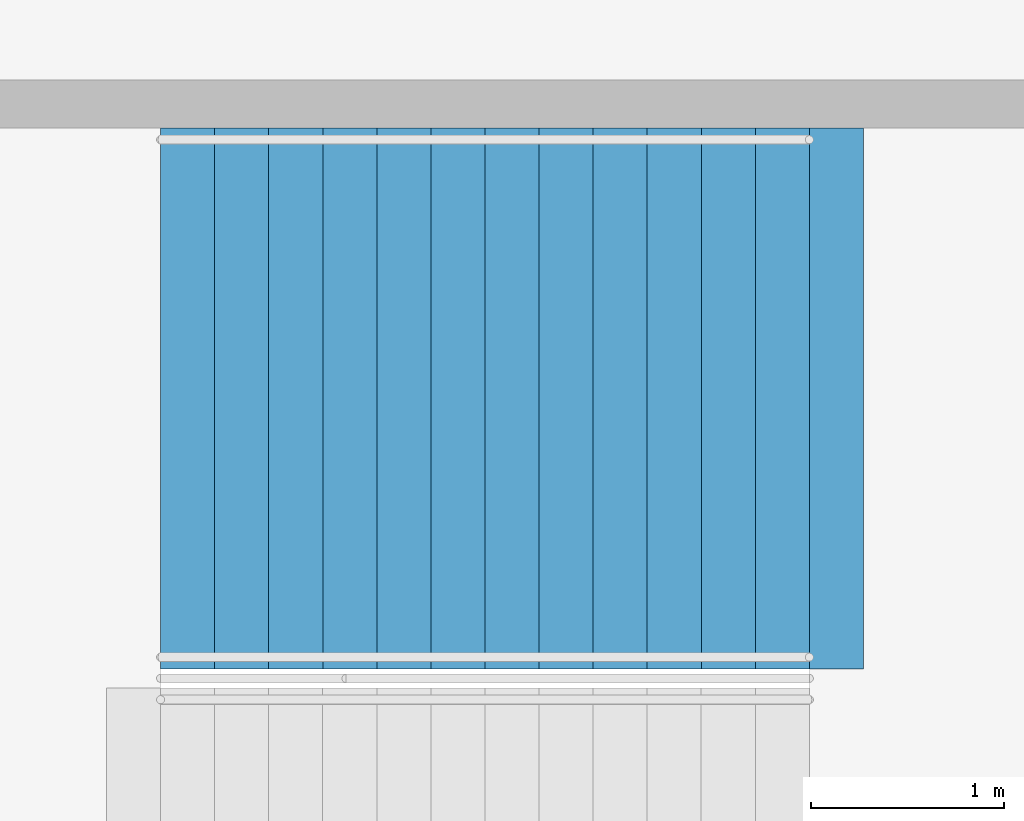
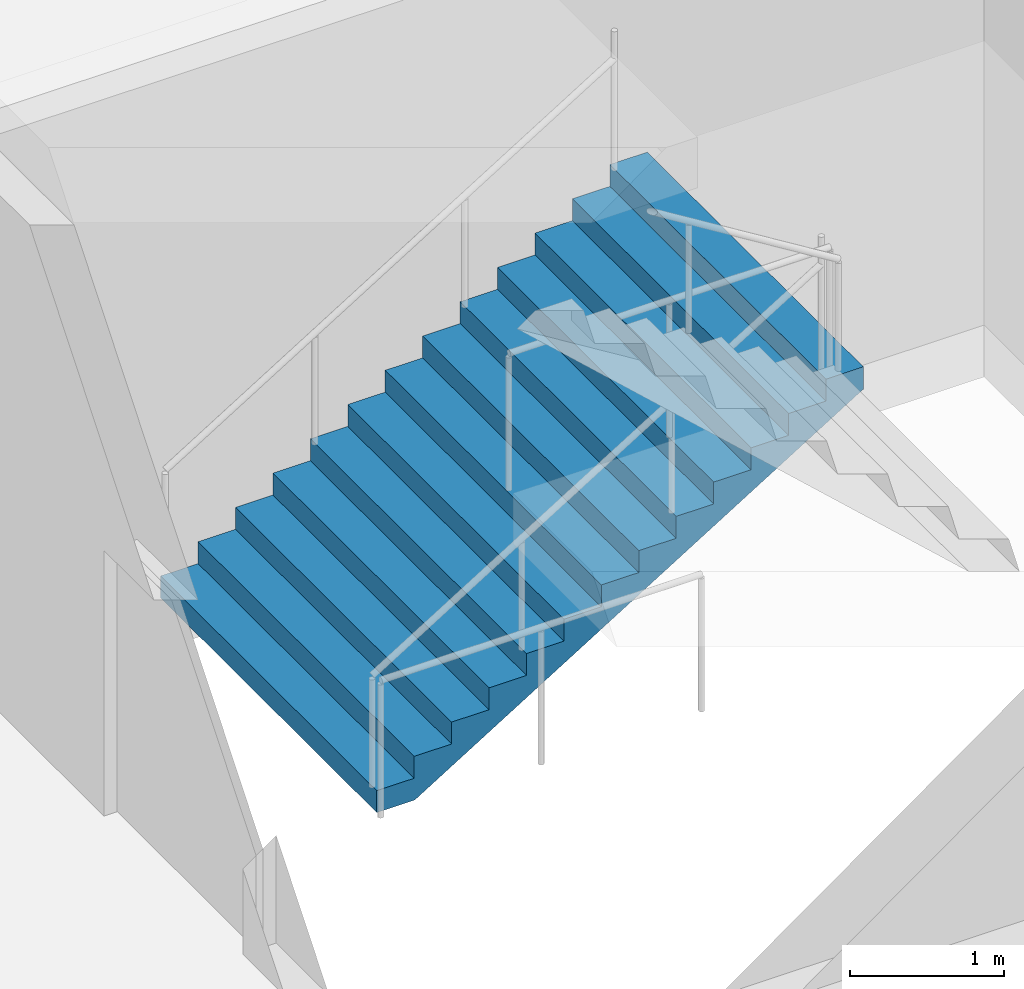
# One storey, part 183 of 249: 1 stair flight, 1 element without a shape of its own.
"""IFC4 building model written with IfcOpenShell, lengths in metres."""

from ifc_helpers import new_model, si_unit, direction, frame, origin, place, context, subcontext, project, spatial, faceted_brep, material, type_object, element, aggregate, save


model = new_model("IFC4")

# Units and contexts
model_context = context("Model", 3, precision=1e-05, world=origin(), true_north=direction((0.0, 1.0)))
body_context = subcontext(model_context, "Body", "Model", "MODEL_VIEW")
ifc_project = project(units=[si_unit("LENGTHUNIT", "METRE"), si_unit("AREAUNIT", "SQUARE_METRE"), si_unit("VOLUMEUNIT", "CUBIC_METRE"), si_unit("PLANEANGLEUNIT", "RADIAN"), si_unit("MASSUNIT", "GRAM", prefix="KILO")], contexts=[model_context])

# Site, building, storey
site_placement = place(None, origin())
site = spatial("IfcSite", under=ifc_project, at=site_placement, CompositionType="ELEMENT")
building_placement = place(site_placement, origin())
building = spatial("IfcBuilding", under=site, at=building_placement, Name="Ogive Plaza Stadium", CompositionType="ELEMENT")
storey_placement = place(building_placement, frame((0.0, 0.0, 13.5)))
storey = spatial("IfcBuildingStorey", under=building, at=storey_placement, Name="L03", CompositionType="ELEMENT", Elevation=13.5)

# Stair, stair flight
ifc_material_1 = material(Name="Concrete C40/50", Category="concrete")
stair_type = type_object("IfcStairType", Name="Exit stair", PredefinedType="STRAIGHT_RUN_STAIR", material=ifc_material_1)
stair_placement = place(storey_placement, origin())
stair = element("IfcStair", 1, at=stair_placement, inside=storey, type_object=stair_type, Name="Exit stair ST06B L03 to L04", PredefinedType="STRAIGHT_RUN_STAIR")
ifc_material_2 = material(Name="Concrete C40/50", Category="concrete")
stair_flight_type = type_object("IfcStairFlightType", Name="Exit stair flight", PredefinedType="STRAIGHT", material=ifc_material_2)
stair_flight_placement = place(storey_placement, frame((76.35009765625, -18.074951171875, 0.0), z_axis=(0.0, 0.0, 1.0), x_axis=(1.0, 0.0, 0.0)))
stair_flight = element("IfcStairFlight", 2, at=stair_flight_placement, type_object=stair_flight_type, Name="ST06B flight 1", NumberOfRisers=13, NumberOfTreads=12, PredefinedType="STRAIGHT", RiserHeight=0.173076923, TreadLength=0.28, context=body_context, shape_type="Brep", body=[
    faceted_brep([(0.28515625, -1.39990234375, 0.0), (3.639892578125, -1.39990234375, 2.07373046875), (3.639892578125, -1.39990234375, 2.25), (3.360107421875, -1.39990234375, 2.25), (3.360107421875, -1.39990234375, 2.076904296875), (3.080078125, -1.39990234375, 2.076904296875), (3.080078125, -1.39990234375, 1.90380859375), (2.800048828125, -1.39990234375, 1.90380859375), (2.800048828125, -1.39990234375, 1.730712890625), (2.52001953125, -1.39990234375, 1.730712890625), (2.52001953125, -1.39990234375, 1.5576171875), (2.239990234375, -1.39990234375, 1.5576171875), (2.239990234375, -1.39990234375, 1.384521484375), (1.9599609375, -1.39990234375, 1.384521484375), (1.9599609375, -1.39990234375, 1.21142578125), (1.679931640625, -1.39990234375, 1.21142578125), (1.679931640625, -1.39990234375, 1.03857421875), (1.39990234375, -1.39990234375, 1.03857421875), (1.39990234375, -1.39990234375, 0.865478515625), (1.1201171875, -1.39990234375, 0.865478515625), (1.1201171875, -1.39990234375, 0.6923828125), (0.840087890625, -1.39990234375, 0.6923828125), (0.840087890625, -1.39990234375, 0.519287109375), (0.56005859375, -1.39990234375, 0.519287109375), (0.56005859375, -1.39990234375, 0.34619140625), (0.280029296875, -1.39990234375, 0.34619140625), (0.280029296875, -1.39990234375, 0.173095703125), (0.0, -1.39990234375, 0.173095703125), (0.0, -1.39990234375, 0.0), (0.0, 1.39990234375, 0.0), (0.0, 1.39990234375, 0.173095703125), (0.280029296875, 1.39990234375, 0.173095703125), (0.280029296875, 1.39990234375, 0.34619140625), (0.56005859375, 1.39990234375, 0.34619140625), (0.56005859375, 1.39990234375, 0.519287109375), (0.840087890625, 1.39990234375, 0.519287109375), (0.840087890625, 1.39990234375, 0.6923828125), (1.1201171875, 1.39990234375, 0.6923828125), (1.1201171875, 1.39990234375, 0.865478515625), (1.39990234375, 1.39990234375, 0.865478515625), (1.39990234375, 1.39990234375, 1.03857421875), (1.679931640625, 1.39990234375, 1.03857421875), (1.679931640625, 1.39990234375, 1.21142578125), (1.9599609375, 1.39990234375, 1.21142578125), (1.9599609375, 1.39990234375, 1.384521484375), (2.239990234375, 1.39990234375, 1.384521484375), (2.239990234375, 1.39990234375, 1.5576171875), (2.52001953125, 1.39990234375, 1.5576171875), (2.52001953125, 1.39990234375, 1.730712890625), (2.800048828125, 1.39990234375, 1.730712890625), (2.800048828125, 1.39990234375, 1.90380859375), (3.080078125, 1.39990234375, 1.90380859375), (3.080078125, 1.39990234375, 2.076904296875), (3.360107421875, 1.39990234375, 2.076904296875), (3.360107421875, 1.39990234375, 2.25), (3.639892578125, 1.39990234375, 2.25), (3.639892578125, 1.39990234375, 2.07373046875), (0.28515625, 1.39990234375, 0.0), (0.28515625, -1.0888671875, 0.0), (3.639892578125, -1.0888671875, 2.07373046875), (0.28515625, -0.77783203125, 0.0), (3.639892578125, -0.77783203125, 2.07373046875), (0.28515625, -0.466796875, 0.0), (3.639892578125, -0.466796875, 2.07373046875), (0.28515625, -0.155517578125, 0.0), (3.639892578125, -0.155517578125, 2.07373046875), (0.28515625, 0.155517578125, 0.0), (3.639892578125, 0.155517578125, 2.07373046875), (0.28515625, 0.466796875, 0.0), (3.639892578125, 0.466796875, 2.07373046875), (0.28515625, 0.77783203125, 0.0), (3.639892578125, 0.77783203125, 2.07373046875), (0.28515625, 1.0888671875, 0.0), (3.639892578125, 1.0888671875, 2.07373046875), (3.639892578125, -1.0888671875, 2.25), (3.639892578125, -0.77783203125, 2.25), (3.639892578125, -0.466796875, 2.25), (3.639892578125, -0.155517578125, 2.25), (3.639892578125, 0.155517578125, 2.25), (3.639892578125, 0.466796875, 2.25), (3.639892578125, 0.77783203125, 2.25), (3.639892578125, 1.0888671875, 2.25), (3.360107421875, -1.0888671875, 2.25), (3.360107421875, -0.77783203125, 2.25), (3.360107421875, -0.466796875, 2.25), (3.360107421875, -0.155517578125, 2.25), (3.360107421875, 0.155517578125, 2.25), (3.360107421875, 0.466796875, 2.25), (3.360107421875, 0.77783203125, 2.25), (3.360107421875, 1.0888671875, 2.25), (3.360107421875, -1.0888671875, 2.076904296875), (3.360107421875, -0.77783203125, 2.076904296875), (3.360107421875, -0.466796875, 2.076904296875), (3.360107421875, -0.155517578125, 2.076904296875), (3.360107421875, 0.155517578125, 2.076904296875), (3.360107421875, 0.466796875, 2.076904296875), (3.360107421875, 0.77783203125, 2.076904296875), (3.360107421875, 1.0888671875, 2.076904296875), (3.080078125, -1.0888671875, 2.076904296875), (3.080078125, -0.77783203125, 2.076904296875), (3.080078125, -0.466796875, 2.076904296875), (3.080078125, -0.155517578125, 2.076904296875), (3.080078125, 0.155517578125, 2.076904296875), (3.080078125, 0.466796875, 2.076904296875), (3.080078125, 0.77783203125, 2.076904296875), (3.080078125, 1.0888671875, 2.076904296875), (3.080078125, -1.0888671875, 1.90380859375), (3.080078125, -0.77783203125, 1.90380859375), (3.080078125, -0.466796875, 1.90380859375), (3.080078125, -0.155517578125, 1.90380859375), (3.080078125, 0.155517578125, 1.90380859375), (3.080078125, 0.466796875, 1.90380859375), (3.080078125, 0.77783203125, 1.90380859375), (3.080078125, 1.0888671875, 1.90380859375), (2.800048828125, -1.0888671875, 1.90380859375), (2.800048828125, -0.77783203125, 1.90380859375), (2.800048828125, -0.466796875, 1.90380859375), (2.800048828125, -0.155517578125, 1.90380859375), (2.800048828125, 0.155517578125, 1.90380859375), (2.800048828125, 0.466796875, 1.90380859375), (2.800048828125, 0.77783203125, 1.90380859375), (2.800048828125, 1.0888671875, 1.90380859375), (2.800048828125, -1.0888671875, 1.730712890625), (2.800048828125, -0.77783203125, 1.730712890625), (2.800048828125, -0.466796875, 1.730712890625), (2.800048828125, -0.155517578125, 1.730712890625), (2.800048828125, 0.155517578125, 1.730712890625), (2.800048828125, 0.466796875, 1.730712890625), (2.800048828125, 0.77783203125, 1.730712890625), (2.800048828125, 1.0888671875, 1.730712890625), (2.52001953125, -1.0888671875, 1.730712890625), (2.52001953125, -0.77783203125, 1.730712890625), (2.52001953125, -0.466796875, 1.730712890625), (2.52001953125, -0.155517578125, 1.730712890625), (2.52001953125, 0.155517578125, 1.730712890625), (2.52001953125, 0.466796875, 1.730712890625), (2.52001953125, 0.77783203125, 1.730712890625), (2.52001953125, 1.0888671875, 1.730712890625), (2.52001953125, -1.0888671875, 1.5576171875), (2.52001953125, -0.77783203125, 1.5576171875), (2.52001953125, -0.466796875, 1.5576171875), (2.52001953125, -0.155517578125, 1.5576171875), (2.52001953125, 0.155517578125, 1.5576171875), (2.52001953125, 0.466796875, 1.5576171875), (2.52001953125, 0.77783203125, 1.5576171875), (2.52001953125, 1.0888671875, 1.5576171875), (2.239990234375, -1.0888671875, 1.5576171875), (2.239990234375, -0.77783203125, 1.5576171875), (2.239990234375, -0.466796875, 1.5576171875), (2.239990234375, -0.155517578125, 1.5576171875), (2.239990234375, 0.155517578125, 1.5576171875), (2.239990234375, 0.466796875, 1.5576171875), (2.239990234375, 0.77783203125, 1.5576171875), (2.239990234375, 1.0888671875, 1.5576171875), (2.239990234375, -1.0888671875, 1.384521484375), (2.239990234375, -0.77783203125, 1.384521484375), (2.239990234375, -0.466796875, 1.384521484375), (2.239990234375, -0.155517578125, 1.384521484375), (2.239990234375, 0.155517578125, 1.384521484375), (2.239990234375, 0.466796875, 1.384521484375), (2.239990234375, 0.77783203125, 1.384521484375), (2.239990234375, 1.0888671875, 1.384521484375), (1.9599609375, -1.0888671875, 1.384521484375), (1.9599609375, -0.77783203125, 1.384521484375), (1.9599609375, -0.466796875, 1.384521484375), (1.9599609375, -0.155517578125, 1.384521484375), (1.9599609375, 0.155517578125, 1.384521484375), (1.9599609375, 0.466796875, 1.384521484375), (1.9599609375, 0.77783203125, 1.384521484375), (1.9599609375, 1.0888671875, 1.384521484375), (1.9599609375, -1.0888671875, 1.21142578125), (1.9599609375, -0.77783203125, 1.21142578125), (1.9599609375, -0.466796875, 1.21142578125), (1.9599609375, -0.155517578125, 1.21142578125), (1.9599609375, 0.155517578125, 1.21142578125), (1.9599609375, 0.466796875, 1.21142578125), (1.9599609375, 0.77783203125, 1.21142578125), (1.9599609375, 1.0888671875, 1.21142578125), (1.679931640625, -1.0888671875, 1.21142578125), (1.679931640625, -0.77783203125, 1.21142578125), (1.679931640625, -0.466796875, 1.21142578125), (1.679931640625, -0.155517578125, 1.21142578125), (1.679931640625, 0.155517578125, 1.21142578125), (1.679931640625, 0.466796875, 1.21142578125), (1.679931640625, 0.77783203125, 1.21142578125), (1.679931640625, 1.0888671875, 1.21142578125), (1.679931640625, -1.0888671875, 1.03857421875), (1.679931640625, -0.77783203125, 1.03857421875), (1.679931640625, -0.466796875, 1.03857421875), (1.679931640625, -0.155517578125, 1.03857421875), (1.679931640625, 0.155517578125, 1.03857421875), (1.679931640625, 0.466796875, 1.03857421875), (1.679931640625, 0.77783203125, 1.03857421875), (1.679931640625, 1.0888671875, 1.03857421875), (1.39990234375, -1.0888671875, 1.03857421875), (1.39990234375, -0.77783203125, 1.03857421875), (1.39990234375, -0.466796875, 1.03857421875), (1.39990234375, -0.155517578125, 1.03857421875), (1.39990234375, 0.155517578125, 1.03857421875), (1.39990234375, 0.466796875, 1.03857421875), (1.39990234375, 0.77783203125, 1.03857421875), (1.39990234375, 1.0888671875, 1.03857421875), (1.39990234375, -1.0888671875, 0.865478515625), (1.39990234375, -0.77783203125, 0.865478515625), (1.39990234375, -0.466796875, 0.865478515625), (1.39990234375, -0.155517578125, 0.865478515625), (1.39990234375, 0.155517578125, 0.865478515625), (1.39990234375, 0.466796875, 0.865478515625), (1.39990234375, 0.77783203125, 0.865478515625), (1.39990234375, 1.0888671875, 0.865478515625), (1.1201171875, -1.0888671875, 0.865478515625), (1.1201171875, -0.77783203125, 0.865478515625), (1.1201171875, -0.466796875, 0.865478515625), (1.1201171875, -0.155517578125, 0.865478515625), (1.1201171875, 0.155517578125, 0.865478515625), (1.1201171875, 0.466796875, 0.865478515625), (1.1201171875, 0.77783203125, 0.865478515625), (1.1201171875, 1.0888671875, 0.865478515625), (1.1201171875, -1.0888671875, 0.6923828125), (1.1201171875, -0.77783203125, 0.6923828125), (1.1201171875, -0.466796875, 0.6923828125), (1.1201171875, -0.155517578125, 0.6923828125), (1.1201171875, 0.155517578125, 0.6923828125), (1.1201171875, 0.466796875, 0.6923828125), (1.1201171875, 0.77783203125, 0.6923828125), (1.1201171875, 1.0888671875, 0.6923828125), (0.840087890625, -1.0888671875, 0.6923828125), (0.840087890625, -0.77783203125, 0.6923828125), (0.840087890625, -0.466796875, 0.6923828125), (0.840087890625, -0.155517578125, 0.6923828125), (0.840087890625, 0.155517578125, 0.6923828125), (0.840087890625, 0.466796875, 0.6923828125), (0.840087890625, 0.77783203125, 0.6923828125), (0.840087890625, 1.0888671875, 0.6923828125), (0.840087890625, -1.0888671875, 0.519287109375), (0.840087890625, -0.77783203125, 0.519287109375), (0.840087890625, -0.466796875, 0.519287109375), (0.840087890625, -0.155517578125, 0.519287109375), (0.840087890625, 0.155517578125, 0.519287109375), (0.840087890625, 0.466796875, 0.519287109375), (0.840087890625, 0.77783203125, 0.519287109375), (0.840087890625, 1.0888671875, 0.519287109375), (0.56005859375, -1.0888671875, 0.519287109375), (0.56005859375, -0.77783203125, 0.519287109375), (0.56005859375, -0.466796875, 0.519287109375), (0.56005859375, -0.155517578125, 0.519287109375), (0.56005859375, 0.155517578125, 0.519287109375), (0.56005859375, 0.466796875, 0.519287109375), (0.56005859375, 0.77783203125, 0.519287109375), (0.56005859375, 1.0888671875, 0.519287109375), (0.56005859375, -1.0888671875, 0.34619140625), (0.56005859375, -0.77783203125, 0.34619140625), (0.56005859375, -0.466796875, 0.34619140625), (0.56005859375, -0.155517578125, 0.34619140625), (0.56005859375, 0.155517578125, 0.34619140625), (0.56005859375, 0.466796875, 0.34619140625), (0.56005859375, 0.77783203125, 0.34619140625), (0.56005859375, 1.0888671875, 0.34619140625), (0.280029296875, -1.0888671875, 0.34619140625), (0.280029296875, -0.77783203125, 0.34619140625), (0.280029296875, -0.466796875, 0.34619140625), (0.280029296875, -0.155517578125, 0.34619140625), (0.280029296875, 0.155517578125, 0.34619140625), (0.280029296875, 0.466796875, 0.34619140625), (0.280029296875, 0.77783203125, 0.34619140625), (0.280029296875, 1.0888671875, 0.34619140625), (0.280029296875, -1.0888671875, 0.173095703125), (0.280029296875, -0.77783203125, 0.173095703125), (0.280029296875, -0.466796875, 0.173095703125), (0.280029296875, -0.155517578125, 0.173095703125), (0.280029296875, 0.155517578125, 0.173095703125), (0.280029296875, 0.466796875, 0.173095703125), (0.280029296875, 0.77783203125, 0.173095703125), (0.280029296875, 1.0888671875, 0.173095703125), (0.0, -1.0888671875, 0.173095703125), (0.0, -0.77783203125, 0.173095703125), (0.0, -0.466796875, 0.173095703125), (0.0, -0.155517578125, 0.173095703125), (0.0, 0.155517578125, 0.173095703125), (0.0, 0.466796875, 0.173095703125), (0.0, 0.77783203125, 0.173095703125), (0.0, 1.0888671875, 0.173095703125), (0.0, -1.0888671875, 0.0), (0.0, -0.77783203125, 0.0), (0.0, -0.466796875, 0.0), (0.0, -0.155517578125, 0.0), (0.0, 0.155517578125, 0.0), (0.0, 0.466796875, 0.0), (0.0, 0.77783203125, 0.0), (0.0, 1.0888671875, 0.0)], [[[0, 1, 2, 3, 4, 5, 6, 7, 8, 9, 10, 11, 12, 13, 14, 15, 16, 17, 18, 19, 20, 21, 22, 23, 24, 25, 26, 27, 28]], [[29, 30, 31, 32, 33, 34, 35, 36, 37, 38, 39, 40, 41, 42, 43, 44, 45, 46, 47, 48, 49, 50, 51, 52, 53, 54, 55, 56, 57]], [[0, 58, 59, 1]], [[58, 60, 61, 59]], [[60, 62, 63, 61]], [[62, 64, 65, 63]], [[64, 66, 67, 65]], [[66, 68, 69, 67]], [[68, 70, 71, 69]], [[70, 72, 73, 71]], [[72, 57, 56, 73]], [[1, 59, 74, 2]], [[59, 61, 75, 74]], [[61, 63, 76, 75]], [[63, 65, 77, 76]], [[65, 67, 78, 77]], [[67, 69, 79, 78]], [[69, 71, 80, 79]], [[71, 73, 81, 80]], [[73, 56, 55, 81]], [[2, 74, 82, 3]], [[74, 75, 83, 82]], [[75, 76, 84, 83]], [[76, 77, 85, 84]], [[77, 78, 86, 85]], [[78, 79, 87, 86]], [[79, 80, 88, 87]], [[80, 81, 89, 88]], [[81, 55, 54, 89]], [[3, 82, 90, 4]], [[82, 83, 91, 90]], [[83, 84, 92, 91]], [[84, 85, 93, 92]], [[85, 86, 94, 93]], [[86, 87, 95, 94]], [[87, 88, 96, 95]], [[88, 89, 97, 96]], [[89, 54, 53, 97]], [[4, 90, 98, 5]], [[90, 91, 99, 98]], [[91, 92, 100, 99]], [[92, 93, 101, 100]], [[93, 94, 102, 101]], [[94, 95, 103, 102]], [[95, 96, 104, 103]], [[96, 97, 105, 104]], [[97, 53, 52, 105]], [[5, 98, 106, 6]], [[98, 99, 107, 106]], [[99, 100, 108, 107]], [[100, 101, 109, 108]], [[101, 102, 110, 109]], [[102, 103, 111, 110]], [[103, 104, 112, 111]], [[104, 105, 113, 112]], [[105, 52, 51, 113]], [[6, 106, 114, 7]], [[106, 107, 115, 114]], [[107, 108, 116, 115]], [[108, 109, 117, 116]], [[109, 110, 118, 117]], [[110, 111, 119, 118]], [[111, 112, 120, 119]], [[112, 113, 121, 120]], [[113, 51, 50, 121]], [[7, 114, 122, 8]], [[114, 115, 123, 122]], [[115, 116, 124, 123]], [[116, 117, 125, 124]], [[117, 118, 126, 125]], [[118, 119, 127, 126]], [[119, 120, 128, 127]], [[120, 121, 129, 128]], [[121, 50, 49, 129]], [[8, 122, 130, 9]], [[122, 123, 131, 130]], [[123, 124, 132, 131]], [[124, 125, 133, 132]], [[125, 126, 134, 133]], [[126, 127, 135, 134]], [[127, 128, 136, 135]], [[128, 129, 137, 136]], [[129, 49, 48, 137]], [[9, 130, 138, 10]], [[130, 131, 139, 138]], [[131, 132, 140, 139]], [[132, 133, 141, 140]], [[133, 134, 142, 141]], [[134, 135, 143, 142]], [[135, 136, 144, 143]], [[136, 137, 145, 144]], [[137, 48, 47, 145]], [[10, 138, 146, 11]], [[138, 139, 147, 146]], [[139, 140, 148, 147]], [[140, 141, 149, 148]], [[141, 142, 150, 149]], [[142, 143, 151, 150]], [[143, 144, 152, 151]], [[144, 145, 153, 152]], [[145, 47, 46, 153]], [[11, 146, 154, 12]], [[146, 147, 155, 154]], [[147, 148, 156, 155]], [[148, 149, 157, 156]], [[149, 150, 158, 157]], [[150, 151, 159, 158]], [[151, 152, 160, 159]], [[152, 153, 161, 160]], [[153, 46, 45, 161]], [[12, 154, 162, 13]], [[154, 155, 163, 162]], [[155, 156, 164, 163]], [[156, 157, 165, 164]], [[157, 158, 166, 165]], [[158, 159, 167, 166]], [[159, 160, 168, 167]], [[160, 161, 169, 168]], [[161, 45, 44, 169]], [[13, 162, 170, 14]], [[162, 163, 171, 170]], [[163, 164, 172, 171]], [[164, 165, 173, 172]], [[165, 166, 174, 173]], [[166, 167, 175, 174]], [[167, 168, 176, 175]], [[168, 169, 177, 176]], [[169, 44, 43, 177]], [[14, 170, 178, 15]], [[170, 171, 179, 178]], [[171, 172, 180, 179]], [[172, 173, 181, 180]], [[173, 174, 182, 181]], [[174, 175, 183, 182]], [[175, 176, 184, 183]], [[176, 177, 185, 184]], [[177, 43, 42, 185]], [[15, 178, 186, 16]], [[178, 179, 187, 186]], [[179, 180, 188, 187]], [[180, 181, 189, 188]], [[181, 182, 190, 189]], [[182, 183, 191, 190]], [[183, 184, 192, 191]], [[184, 185, 193, 192]], [[185, 42, 41, 193]], [[16, 186, 194, 17]], [[186, 187, 195, 194]], [[187, 188, 196, 195]], [[188, 189, 197, 196]], [[189, 190, 198, 197]], [[190, 191, 199, 198]], [[191, 192, 200, 199]], [[192, 193, 201, 200]], [[193, 41, 40, 201]], [[17, 194, 202, 18]], [[194, 195, 203, 202]], [[195, 196, 204, 203]], [[196, 197, 205, 204]], [[197, 198, 206, 205]], [[198, 199, 207, 206]], [[199, 200, 208, 207]], [[200, 201, 209, 208]], [[201, 40, 39, 209]], [[18, 202, 210, 19]], [[202, 203, 211, 210]], [[203, 204, 212, 211]], [[204, 205, 213, 212]], [[205, 206, 214, 213]], [[206, 207, 215, 214]], [[207, 208, 216, 215]], [[208, 209, 217, 216]], [[209, 39, 38, 217]], [[19, 210, 218, 20]], [[210, 211, 219, 218]], [[211, 212, 220, 219]], [[212, 213, 221, 220]], [[213, 214, 222, 221]], [[214, 215, 223, 222]], [[215, 216, 224, 223]], [[216, 217, 225, 224]], [[217, 38, 37, 225]], [[20, 218, 226, 21]], [[218, 219, 227, 226]], [[219, 220, 228, 227]], [[220, 221, 229, 228]], [[221, 222, 230, 229]], [[222, 223, 231, 230]], [[223, 224, 232, 231]], [[224, 225, 233, 232]], [[225, 37, 36, 233]], [[21, 226, 234, 22]], [[226, 227, 235, 234]], [[227, 228, 236, 235]], [[228, 229, 237, 236]], [[229, 230, 238, 237]], [[230, 231, 239, 238]], [[231, 232, 240, 239]], [[232, 233, 241, 240]], [[233, 36, 35, 241]], [[22, 234, 242, 23]], [[234, 235, 243, 242]], [[235, 236, 244, 243]], [[236, 237, 245, 244]], [[237, 238, 246, 245]], [[238, 239, 247, 246]], [[239, 240, 248, 247]], [[240, 241, 249, 248]], [[241, 35, 34, 249]], [[23, 242, 250, 24]], [[242, 243, 251, 250]], [[243, 244, 252, 251]], [[244, 245, 253, 252]], [[245, 246, 254, 253]], [[246, 247, 255, 254]], [[247, 248, 256, 255]], [[248, 249, 257, 256]], [[249, 34, 33, 257]], [[24, 250, 258, 25]], [[250, 251, 259, 258]], [[251, 252, 260, 259]], [[252, 253, 261, 260]], [[253, 254, 262, 261]], [[254, 255, 263, 262]], [[255, 256, 264, 263]], [[256, 257, 265, 264]], [[257, 33, 32, 265]], [[25, 258, 266, 26]], [[258, 259, 267, 266]], [[259, 260, 268, 267]], [[260, 261, 269, 268]], [[261, 262, 270, 269]], [[262, 263, 271, 270]], [[263, 264, 272, 271]], [[264, 265, 273, 272]], [[265, 32, 31, 273]], [[26, 266, 274, 27]], [[266, 267, 275, 274]], [[267, 268, 276, 275]], [[268, 269, 277, 276]], [[269, 270, 278, 277]], [[270, 271, 279, 278]], [[271, 272, 280, 279]], [[272, 273, 281, 280]], [[273, 31, 30, 281]], [[27, 274, 282, 28]], [[274, 275, 283, 282]], [[275, 276, 284, 283]], [[276, 277, 285, 284]], [[277, 278, 286, 285]], [[278, 279, 287, 286]], [[279, 280, 288, 287]], [[280, 281, 289, 288]], [[281, 30, 29, 289]], [[28, 282, 58, 0]], [[282, 283, 60, 58]], [[283, 284, 62, 60]], [[284, 285, 64, 62]], [[285, 286, 66, 64]], [[286, 287, 68, 66]], [[287, 288, 70, 68]], [[288, 289, 72, 70]], [[289, 29, 57, 72]]]),
])
aggregate(stair, [stair_flight])

save(model, "model.ifc")
